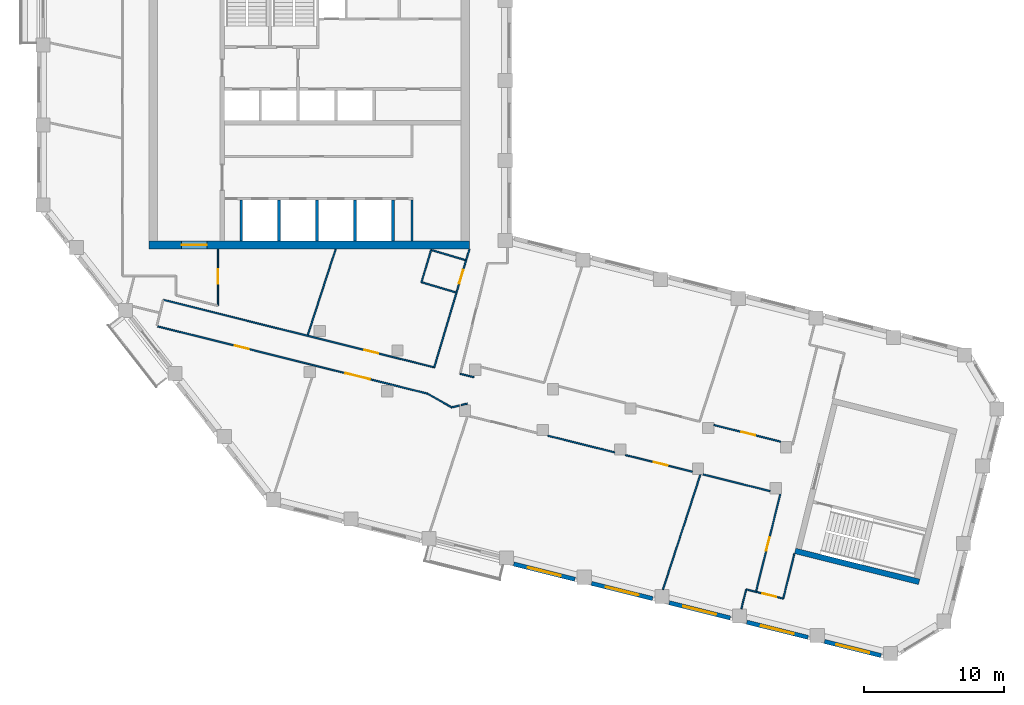
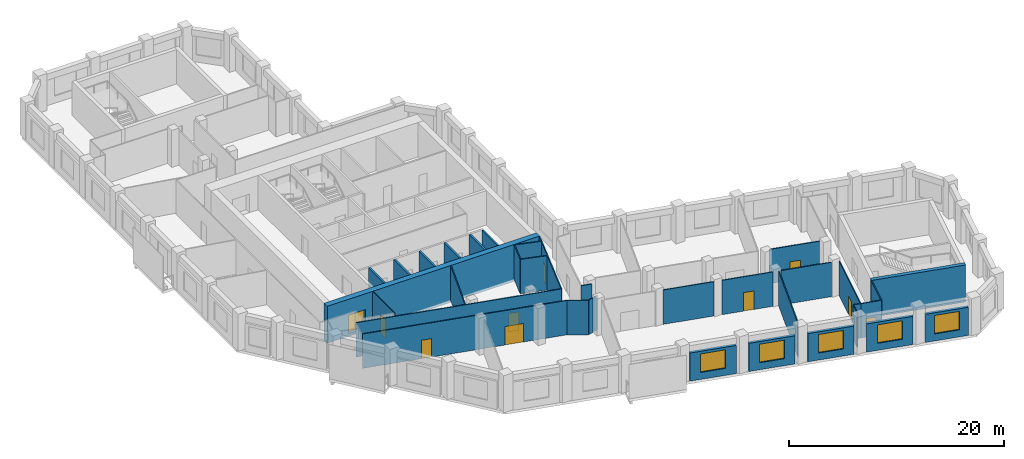
# One storey, part 3 of 9: 35 walls, 10 doors, 5 windows, 15 openings.
"""IFC4 building model written with IfcOpenShell, lengths in metres."""

from ifc_helpers import new_model, si_unit, direction, frame, frame_2d, origin, place, context, subcontext, project, spatial, rectangle, extrude, material, layer, layer_set, type_object, element, fill, save


model = new_model("IFC4")

# Units and contexts
model_context = context("Model", 3, precision=1e-05, world=origin(), true_north=direction((0.0, 1.0)))
body_context = subcontext(model_context, "Body", "Model", "MODEL_VIEW")
ifc_project = project(units=[si_unit("LENGTHUNIT", "METRE"), si_unit("AREAUNIT", "SQUARE_METRE"), si_unit("VOLUMEUNIT", "CUBIC_METRE"), si_unit("PLANEANGLEUNIT", "RADIAN"), si_unit("MASSUNIT", "GRAM", prefix="KILO")], contexts=[model_context])

# Site, building, storey
site_placement = place(None, origin())
site = spatial("IfcSite", under=ifc_project, at=site_placement, CompositionType="ELEMENT")
building_placement = place(site_placement, origin())
building = spatial("IfcBuilding", under=site, at=building_placement, Name="Meshkara Civic Tower", CompositionType="ELEMENT")
storey_placement = place(building_placement, frame((0.0, 0.0, 336.0)))
storey = spatial("IfcBuildingStorey", under=building, at=storey_placement, Name="L77", CompositionType="ELEMENT", Elevation=336.0)

# Wall
ifc_material_1 = material(Name="Blockwork", Category="masonry")
ifc_layer_1 = layer(ifc_material_1, 0.14990234375)
ifc_layer_set_1 = layer_set([ifc_layer_1], Name="Core partition 150")
wall_type_1 = type_object("IfcWallType", Name="Core partition 150", PredefinedType="PARTITIONING", material=ifc_layer_set_1)
wall_1_placement = place(storey_placement, frame((26.699951171875, 14.699951171875, 0.0), z_axis=(0.0, 0.0, 1.0), x_axis=(0.0, 1.0, 0.0)))
element("IfcWall", 1, at=wall_1_placement, inside=storey, type_object=wall_type_1, Name="L77-C025", PredefinedType="PARTITIONING", context=body_context, shape_type="SweptSolid", body=[
    extrude(rectangle(XDim=2.900146484375, YDim=0.14990234375, at=frame_2d((1.4501953125, 0.0))), origin(), (0.0, 0.0, 1.0), 3.89990234375),
])

# Wall, opening, door
ifc_material_2 = material(Name="Concrete C60", Category="concrete")
ifc_layer_2 = layer(ifc_material_2, 0.60009765625)
ifc_layer_set_2 = layer_set([ifc_layer_2], Name="Core ring wall 600 C60")
wall_type_2 = type_object("IfcWallType", Name="Core ring wall 600 C60", PredefinedType="SHEAR", material=ifc_layer_set_2)
wall_2_placement = place(storey_placement, frame((8.0, 14.39990234375, -0.300048828125), z_axis=(0.0, 0.0, 1.0), x_axis=(1.0, 0.0, 0.0)))
wall_2 = element("IfcWall", 2, at=wall_2_placement, inside=storey, type_object=wall_type_2, Name="L77-C001", PredefinedType="SHEAR", context=body_context, shape_type="SweptSolid", body=[
    extrude(rectangle(XDim=22.800048828125, YDim=0.60009765625, at=frame_2d((11.39990234375, 0.0))), origin(), (0.0, 0.0, 1.0), 4.199951171875),
])
opening_1_placement = place(wall_2_placement, frame((2.300048828125, 0.0, 0.300048828125)))
opening_1 = element("IfcOpeningElement", 3, at=opening_1_placement, cuts=wall_2, Name="Opening L77-K022", PredefinedType="OPENING", context=body_context, shape_type="SweptSolid", body=[
    extrude(rectangle(XDim=1.800048828125, YDim=2.10009765625, at=frame_2d((0.89990234375, 1.050048828125))), frame((0.0, 0.31005859375, 0.0), z_axis=(0.0, -1.0, 0.0), x_axis=(1.0, 0.0, 0.0)), (0.0, 0.0, 1.0), 0.6201171875),
])
ifc_material_3 = material(Name="Fire-rated door leaf in steel frame", Category="steel")
door_type_1 = type_object("IfcDoorType", Name="Core double door 1800 EI 60", OperationType="DOUBLE_DOOR_SINGLE_SWING", PredefinedType="DOOR", material=ifc_material_3)
door_1_placement = place(opening_1_placement, origin())
door_1 = element("IfcDoor", 4, at=door_1_placement, inside=storey, type_object=door_type_1, Name="L77-K022", OperationType="DOUBLE_DOOR_SINGLE_SWING", OverallHeight=2.10009765625, OverallWidth=1.800048828125, PredefinedType="DOOR", context=body_context, shape_type="SweptSolid", body=[
    extrude(rectangle(XDim=1.800048828125, YDim=2.10009765625, at=frame_2d((0.89990234375, 1.050048828125))), frame((0.0, 0.02490234375, 0.0), z_axis=(0.0, -1.0, 0.0), x_axis=(1.0, 0.0, 0.0)), (0.0, 0.0, 1.0), 0.050048828125),
])
fill(opening_1, door_1)

# Wall, openings, doors
ifc_material_4 = material(Name="Corridor wall 100")
ifc_layer_3 = layer(ifc_material_4, 0.10009765625)
ifc_layer_set_3 = layer_set([ifc_layer_3], Name="Corridor wall 100")
wall_type_3 = type_object("IfcWallType", Name="Corridor wall 100", PredefinedType="PARTITIONING", material=ifc_layer_set_3)
wall_3_placement = place(storey_placement, frame((8.60107421875, 8.610107421875, 0.0), z_axis=(0.0, 0.0, 1.0), x_axis=(0.970290921205, -0.241941166872, 0.0)))
wall_3 = element("IfcWall", 5, at=wall_3_placement, inside=storey, type_object=wall_type_3, Name="L77-W006", PredefinedType="PARTITIONING", context=body_context, shape_type="SweptSolid", body=[
    extrude(rectangle(XDim=19.8115234375, YDim=0.10009765625, at=frame_2d((9.90576171875, 0.0))), origin(), (0.0, 0.0, 1.0), 3.89990234375),
])
opening_2_placement = place(wall_3_placement, frame((13.784912109375, 0.0, 0.0)))
opening_2 = element("IfcOpeningElement", 6, at=opening_2_placement, cuts=wall_3, Name="Opening L77-D004", PredefinedType="OPENING", context=body_context, shape_type="SweptSolid", body=[
    extrude(rectangle(XDim=1.800048828125, YDim=2.10009765625, at=frame_2d((0.89990234375, 1.050048828125))), frame((0.0, 0.06005859375, 0.0), z_axis=(0.0, -1.0, 0.0), x_axis=(1.0, 0.0, 0.0)), (0.0, 0.0, 1.0), 0.1201171875),
])
opening_3_placement = place(wall_3_placement, frame((5.679931640625, 0.0, 0.0)))
opening_3 = element("IfcOpeningElement", 7, at=opening_3_placement, cuts=wall_3, Name="Opening L77-D009", PredefinedType="OPENING", context=body_context, shape_type="SweptSolid", body=[
    extrude(rectangle(XDim=1.0, YDim=2.10009765625, at=frame_2d((0.5, 1.050048828125))), frame((0.0, 0.06005859375, 0.0), z_axis=(0.0, -1.0, 0.0), x_axis=(1.0, 0.0, 0.0)), (0.0, 0.0, 1.0), 0.1201171875),
])
ifc_material_5 = material(Name="Door 1000 x 2100")
door_type_2 = type_object("IfcDoorType", Name="Door 1000 x 2100", OperationType="SINGLE_SWING_LEFT", PredefinedType="DOOR", material=ifc_material_5)
door_2_placement = place(opening_3_placement, origin())
door_2 = element("IfcDoor", 8, at=door_2_placement, inside=storey, type_object=door_type_2, Name="L77-D009", OperationType="SINGLE_SWING_LEFT", OverallHeight=2.10009765625, OverallWidth=1.0, PredefinedType="DOOR", context=body_context, shape_type="SweptSolid", body=[
    extrude(rectangle(XDim=1.0, YDim=2.10009765625, at=frame_2d((0.5, 1.050048828125))), frame((0.0, 0.02490234375, 0.0), z_axis=(0.0, -1.0, 0.0), x_axis=(1.0, 0.0, 0.0)), (0.0, 0.0, 1.0), 0.050048828125),
])
fill(opening_3, door_2)
ifc_material_6 = material(Name="Door pair 1800 x 2100")
door_type_3 = type_object("IfcDoorType", Name="Door pair 1800 x 2100", OperationType="SINGLE_SWING_LEFT", PredefinedType="DOOR", material=ifc_material_6)
door_3_placement = place(opening_2_placement, origin())
door_3 = element("IfcDoor", 9, at=door_3_placement, inside=storey, type_object=door_type_3, Name="L77-D004", OperationType="DOUBLE_DOOR_SINGLE_SWING", OverallHeight=2.10009765625, OverallWidth=1.800048828125, PredefinedType="DOOR", context=body_context, shape_type="SweptSolid", body=[
    extrude(rectangle(XDim=1.800048828125, YDim=2.10009765625, at=frame_2d((0.89990234375, 1.050048828125))), frame((0.0, 0.02490234375, 0.0), z_axis=(0.0, -1.0, 0.0), x_axis=(1.0, 0.0, 0.0)), (0.0, 0.0, 1.0), 0.050048828125),
])
fill(opening_2, door_3)

# Wall, opening, door
wall_4_placement = place(storey_placement, frame((9.001953125, 10.4990234375, 0.0), z_axis=(0.0, 0.0, 1.0), x_axis=(0.970298340477, -0.241911410372, 0.0)))
wall_4 = element("IfcWall", 10, at=wall_4_placement, inside=storey, type_object=wall_type_3, Name="L77-W007", PredefinedType="PARTITIONING", context=body_context, shape_type="SweptSolid", body=[
    extrude(rectangle(XDim=19.879638671875, YDim=0.10009765625, at=frame_2d((9.93994140625, 0.0))), origin(), (0.0, 0.0, 1.0), 3.89990234375),
])
opening_4_placement = place(wall_4_placement, frame((14.76611328125, 0.0, 0.0)))
opening_4 = element("IfcOpeningElement", 11, at=opening_4_placement, cuts=wall_4, Name="Opening L77-D010", PredefinedType="OPENING", context=body_context, shape_type="SweptSolid", body=[
    extrude(rectangle(XDim=1.0, YDim=2.10009765625, at=frame_2d((0.5, 1.050048828125))), frame((0.0, 0.06005859375, 0.0), z_axis=(0.0, -1.0, 0.0), x_axis=(1.0, 0.0, 0.0)), (0.0, 0.0, 1.0), 0.1201171875),
])
door_4_placement = place(opening_4_placement, origin())
door_4 = element("IfcDoor", 12, at=door_4_placement, inside=storey, type_object=door_type_2, Name="L77-D010", OperationType="SINGLE_SWING_RIGHT", OverallHeight=2.10009765625, OverallWidth=1.0, PredefinedType="DOOR", context=body_context, shape_type="SweptSolid", body=[
    extrude(rectangle(XDim=1.0, YDim=2.10009765625, at=frame_2d((0.5, 1.050048828125))), frame((0.0, 0.02490234375, 0.0), z_axis=(0.0, -1.0, 0.0), x_axis=(1.0, 0.0, 0.0)), (0.0, 0.0, 1.0), 0.050048828125),
])
fill(opening_4, door_4)

wall_5_placement = place(storey_placement, frame((12.89990234375, 10.077880859375, 0.0), z_axis=(0.0, 0.0, 1.0), x_axis=(0.0, 1.0, 0.0)))
wall_5 = element("IfcWall", 13, at=wall_5_placement, inside=storey, type_object=wall_type_3, Name="L77-W015", PredefinedType="PARTITIONING", context=body_context, shape_type="SweptSolid", body=[
    extrude(rectangle(XDim=4.022216796875, YDim=0.10009765625, at=frame_2d((2.01123046875, 0.0))), origin(), (0.0, 0.0, 1.0), 3.89990234375),
])
opening_5_placement = place(wall_5_placement, frame((1.580078125, 0.0, 0.0)))
opening_5 = element("IfcOpeningElement", 14, at=opening_5_placement, cuts=wall_5, Name="Opening L77-D013", PredefinedType="OPENING", context=body_context, shape_type="SweptSolid", body=[
    extrude(rectangle(XDim=1.0, YDim=2.10009765625, at=frame_2d((0.5, 1.050048828125))), frame((0.0, 0.06005859375, 0.0), z_axis=(0.0, -1.0, 0.0), x_axis=(1.0, 0.0, 0.0)), (0.0, 0.0, 1.0), 0.1201171875),
])
door_5_placement = place(opening_5_placement, origin())
door_5 = element("IfcDoor", 15, at=door_5_placement, inside=storey, type_object=door_type_2, Name="L77-D013", OperationType="SINGLE_SWING_LEFT", OverallHeight=2.10009765625, OverallWidth=1.0, PredefinedType="DOOR", context=body_context, shape_type="SweptSolid", body=[
    extrude(rectangle(XDim=1.0, YDim=2.10009765625, at=frame_2d((0.5, 1.050048828125))), frame((0.0, 0.02490234375, 0.0), z_axis=(0.0, -1.0, 0.0), x_axis=(1.0, 0.0, 0.0)), (0.0, 0.0, 1.0), 0.050048828125),
])
fill(opening_5, door_5)

# Wall
wall_6_placement = place(storey_placement, frame((27.823974609375, 3.81689453125, 0.0), z_axis=(0.0, 0.0, 1.0), x_axis=(0.868349676245, -0.495952457163, 0.0)))
element("IfcWall", 16, at=wall_6_placement, inside=storey, type_object=wall_type_3, Name="L77-W018", PredefinedType="PARTITIONING", context=body_context, shape_type="SweptSolid", body=[
    extrude(rectangle(XDim=1.973876953125, YDim=0.10009765625, at=frame_2d((0.98681640625, 0.0))), origin(), (0.0, 0.0, 1.0), 3.89990234375),
])

# Wall, opening, door
wall_7_placement = place(storey_placement, frame((28.291015625, 5.68994140625, 0.0), z_axis=(0.0, 0.0, 1.0), x_axis=(0.28588265334, 0.958264633867, 0.0)))
wall_7 = element("IfcWall", 17, at=wall_7_placement, inside=storey, type_object=wall_type_3, Name="L77-W019", PredefinedType="PARTITIONING", context=body_context, shape_type="SweptSolid", body=[
    extrude(rectangle(XDim=8.7763671875, YDim=0.10009765625, at=frame_2d((4.38818359375, 0.0))), origin(), (0.0, 0.0, 1.0), 3.89990234375),
])
opening_6_placement = place(wall_7_placement, frame((6.22998046875, 0.0, 0.0)))
opening_6 = element("IfcOpeningElement", 18, at=opening_6_placement, cuts=wall_7, Name="Opening L77-D014", PredefinedType="OPENING", context=body_context, shape_type="SweptSolid", body=[
    extrude(rectangle(XDim=1.0, YDim=2.10009765625, at=frame_2d((0.5, 1.050048828125))), frame((0.0, 0.06005859375, 0.0), z_axis=(0.0, -1.0, 0.0), x_axis=(1.0, 0.0, 0.0)), (0.0, 0.0, 1.0), 0.1201171875),
])
door_6_placement = place(opening_6_placement, origin())
door_6 = element("IfcDoor", 19, at=door_6_placement, inside=storey, type_object=door_type_2, Name="L77-D014", OperationType="SINGLE_SWING_LEFT", OverallHeight=2.10009765625, OverallWidth=1.0, PredefinedType="DOOR", context=body_context, shape_type="SweptSolid", body=[
    extrude(rectangle(XDim=1.0, YDim=2.10009765625, at=frame_2d((0.5, 1.050048828125))), frame((0.0, 0.02490234375, 0.0), z_axis=(0.0, -1.0, 0.0), x_axis=(1.0, 0.0, 0.0)), (0.0, 0.0, 1.0), 0.050048828125),
])
fill(opening_6, door_6)

# Walls
wall_8_placement = place(storey_placement, frame((29.5380859375, 2.837890625, 0.0), z_axis=(0.0, 0.0, 1.0), x_axis=(0.971654139629, 0.236406922365, 0.0)))
element("IfcWall", 20, at=wall_8_placement, inside=storey, type_object=wall_type_3, Name="L77-W020", PredefinedType="PARTITIONING", context=body_context, shape_type="SweptSolid", body=[
    extrude(rectangle(XDim=0.562744140625, YDim=0.10009765625, at=frame_2d((0.28125, 0.0))), origin(), (0.0, 0.0, 1.0), 3.89990234375),
])
wall_9_placement = place(storey_placement, frame((30.212890625, 3.001953125, 0.0), z_axis=(0.0, 0.0, 1.0), x_axis=(0.971720514556, 0.236133948408, 0.0)))
element("IfcWall", 21, at=wall_9_placement, inside=storey, type_object=wall_type_3, Name="L77-W022", PredefinedType="PARTITIONING", context=body_context, shape_type="SweptSolid", body=[
    extrude(rectangle(XDim=0.4580078125, YDim=0.10009765625, at=frame_2d((0.22900390625, 0.0))), origin(), (0.0, 0.0, 1.0), 3.89990234375),
])
wall_10_placement = place(storey_placement, frame((31.125, 4.98291015625, 0.0), z_axis=(0.0, 0.0, 1.0), x_axis=(-0.970296981152, 0.24191686251, 0.0)))
element("IfcWall", 22, at=wall_10_placement, inside=storey, type_object=wall_type_3, Name="L77-W025", PredefinedType="PARTITIONING", context=body_context, shape_type="SweptSolid", body=[
    extrude(rectangle(XDim=1.021240234375, YDim=0.10009765625, at=frame_2d((0.5107421875, 0.0))), origin(), (0.0, 0.0, 1.0), 3.89990234375),
])
wall_11_placement = place(storey_placement, frame((36.3798828125, 0.822998046875, 0.0), z_axis=(0.0, 0.0, 1.0), x_axis=(0.970311839682, -0.241857259087, 0.0)))
element("IfcWall", 23, at=wall_11_placement, inside=storey, type_object=wall_type_3, Name="L77-W029", PredefinedType="PARTITIONING", context=body_context, shape_type="SweptSolid", body=[
    extrude(rectangle(XDim=4.911865234375, YDim=0.10009765625, at=frame_2d((2.4560546875, 0.0))), origin(), (0.0, 0.0, 1.0), 3.89990234375),
])

# Wall, opening, door
wall_12_placement = place(storey_placement, frame((41.910888671875, -0.555908203125, 0.0), z_axis=(0.0, 0.0, 1.0), x_axis=(0.970311839682, -0.241857259087, 0.0)))
wall_12 = element("IfcWall", 24, at=wall_12_placement, inside=storey, type_object=wall_type_3, Name="L77-W030", PredefinedType="PARTITIONING", context=body_context, shape_type="SweptSolid", body=[
    extrude(rectangle(XDim=4.911865234375, YDim=0.10009765625, at=frame_2d((2.4560546875, 0.0))), origin(), (0.0, 0.0, 1.0), 3.89990234375),
])
opening_7_placement = place(wall_12_placement, frame((2.080078125, 0.0, 0.0)))
opening_7 = element("IfcOpeningElement", 25, at=opening_7_placement, cuts=wall_12, Name="Opening L77-D003", PredefinedType="OPENING", context=body_context, shape_type="SweptSolid", body=[
    extrude(rectangle(XDim=1.0, YDim=2.10009765625, at=frame_2d((0.5, 1.050048828125))), frame((0.0, 0.06005859375, 0.0), z_axis=(0.0, -1.0, 0.0), x_axis=(1.0, 0.0, 0.0)), (0.0, 0.0, 1.0), 0.1201171875),
])
door_7_placement = place(opening_7_placement, origin())
door_7 = element("IfcDoor", 26, at=door_7_placement, inside=storey, type_object=door_type_2, Name="L77-D003", OperationType="SINGLE_SWING_LEFT", OverallHeight=2.10009765625, OverallWidth=1.0, PredefinedType="DOOR", context=body_context, shape_type="SweptSolid", body=[
    extrude(rectangle(XDim=1.0, YDim=2.10009765625, at=frame_2d((0.5, 1.050048828125))), frame((0.0, 0.02490234375, 0.0), z_axis=(0.0, -1.0, 0.0), x_axis=(1.0, 0.0, 0.0)), (0.0, 0.0, 1.0), 0.050048828125),
])
fill(opening_7, door_7)

# Wall
wall_13_placement = place(storey_placement, frame((47.44189453125, -1.93505859375, 0.0), z_axis=(0.0, 0.0, 1.0), x_axis=(0.970311839682, -0.241857259087, 0.0)))
element("IfcWall", 27, at=wall_13_placement, inside=storey, type_object=wall_type_3, Name="L77-W033", PredefinedType="PARTITIONING", context=body_context, shape_type="SweptSolid", body=[
    extrude(rectangle(XDim=4.911865234375, YDim=0.10009765625, at=frame_2d((2.4560546875, 0.0))), origin(), (0.0, 0.0, 1.0), 3.89990234375),
])

# Wall, opening, door
wall_14_placement = place(storey_placement, frame((51.200927734375, -10.2919921875, 0.0), z_axis=(0.0, 0.0, 1.0), x_axis=(0.970307382734, -0.241875139301, 0.0)))
wall_14 = element("IfcWall", 28, at=wall_14_placement, inside=storey, type_object=wall_type_3, Name="L77-W034", PredefinedType="PARTITIONING", context=body_context, shape_type="SweptSolid", body=[
    extrude(rectangle(XDim=2.00048828125, YDim=0.10009765625, at=frame_2d((1.000244140625, 0.0))), origin(), (0.0, 0.0, 1.0), 3.89990234375),
])
opening_8_placement = place(wall_14_placement, frame((0.47998046875, 0.0, 0.0)))
opening_8 = element("IfcOpeningElement", 29, at=opening_8_placement, cuts=wall_14, Name="Opening L77-D002", PredefinedType="OPENING", context=body_context, shape_type="SweptSolid", body=[
    extrude(rectangle(XDim=1.0, YDim=2.10009765625, at=frame_2d((0.5, 1.050048828125))), frame((0.0, 0.06005859375, 0.0), z_axis=(0.0, -1.0, 0.0), x_axis=(1.0, 0.0, 0.0)), (0.0, 0.0, 1.0), 0.1201171875),
])
door_8_placement = place(opening_8_placement, origin())
door_8 = element("IfcDoor", 30, at=door_8_placement, inside=storey, type_object=door_type_2, Name="L77-D002", OperationType="SINGLE_SWING_RIGHT", OverallHeight=2.10009765625, OverallWidth=1.0, PredefinedType="DOOR", context=body_context, shape_type="SweptSolid", body=[
    extrude(rectangle(XDim=1.0, YDim=2.10009765625, at=frame_2d((0.5, 1.050048828125))), frame((0.0, 0.02490234375, 0.0), z_axis=(0.0, -1.0, 0.0), x_axis=(1.0, 0.0, 0.0)), (0.0, 0.0, 1.0), 0.050048828125),
])
fill(opening_8, door_8)

wall_15_placement = place(storey_placement, frame((52.94091796875, -3.31396484375, 0.0), z_axis=(0.0, 0.0, 1.0), x_axis=(-0.241944492524, -0.97029009195, 0.0)))
wall_15 = element("IfcWall", 31, at=wall_15_placement, inside=storey, type_object=wall_type_3, Name="L77-W035", PredefinedType="PARTITIONING", context=body_context, shape_type="SweptSolid", body=[
    extrude(rectangle(XDim=7.191650390625, YDim=0.10009765625, at=frame_2d((3.595703125, 0.0))), origin(), (0.0, 0.0, 1.0), 3.89990234375),
])
opening_9_placement = place(wall_15_placement, frame((3.179931640625, 0.0, 0.0)))
opening_9 = element("IfcOpeningElement", 32, at=opening_9_placement, cuts=wall_15, Name="Opening L77-D001", PredefinedType="OPENING", context=body_context, shape_type="SweptSolid", body=[
    extrude(rectangle(XDim=1.0, YDim=2.10009765625, at=frame_2d((0.5, 1.050048828125))), frame((0.0, 0.06005859375, 0.0), z_axis=(0.0, -1.0, 0.0), x_axis=(1.0, 0.0, 0.0)), (0.0, 0.0, 1.0), 0.1201171875),
])
door_9_placement = place(opening_9_placement, origin())
door_9 = element("IfcDoor", 33, at=door_9_placement, inside=storey, type_object=door_type_2, Name="L77-D001", OperationType="SINGLE_SWING_LEFT", OverallHeight=2.10009765625, OverallWidth=1.0, PredefinedType="DOOR", context=body_context, shape_type="SweptSolid", body=[
    extrude(rectangle(XDim=1.0, YDim=2.10009765625, at=frame_2d((0.5, 1.050048828125))), frame((0.0, 0.02490234375, 0.0), z_axis=(0.0, -1.0, 0.0), x_axis=(1.0, 0.0, 0.0)), (0.0, 0.0, 1.0), 0.050048828125),
])
fill(opening_9, door_9)

wall_16_placement = place(storey_placement, frame((52.970947265625, 0.39697265625, 0.0), z_axis=(0.0, 0.0, 1.0), x_axis=(-0.970288447449, 0.24195108751, 0.0)))
wall_16 = element("IfcWall", 34, at=wall_16_placement, inside=storey, type_object=wall_type_3, Name="L77-W036", PredefinedType="PARTITIONING", context=body_context, shape_type="SweptSolid", body=[
    extrude(rectangle(XDim=4.9140625, YDim=0.10009765625, at=frame_2d((2.45703125, 0.0))), origin(), (0.0, 0.0, 1.0), 3.89990234375),
])
opening_10_placement = place(wall_16_placement, frame((1.8798828125, 0.0, 0.0)))
opening_10 = element("IfcOpeningElement", 35, at=opening_10_placement, cuts=wall_16, Name="Opening L77-D007", PredefinedType="OPENING", context=body_context, shape_type="SweptSolid", body=[
    extrude(rectangle(XDim=1.0, YDim=2.10009765625, at=frame_2d((0.5, 1.050048828125))), frame((0.0, 0.06005859375, 0.0), z_axis=(0.0, -1.0, 0.0), x_axis=(1.0, 0.0, 0.0)), (0.0, 0.0, 1.0), 0.1201171875),
])
door_10_placement = place(opening_10_placement, origin())
door_10 = element("IfcDoor", 36, at=door_10_placement, inside=storey, type_object=door_type_2, Name="L77-D007", OperationType="SINGLE_SWING_RIGHT", OverallHeight=2.10009765625, OverallWidth=1.0, PredefinedType="DOOR", context=body_context, shape_type="SweptSolid", body=[
    extrude(rectangle(XDim=1.0, YDim=2.10009765625, at=frame_2d((0.5, 1.050048828125))), frame((0.0, 0.02490234375, 0.0), z_axis=(0.0, -1.0, 0.0), x_axis=(1.0, 0.0, 0.0)), (0.0, 0.0, 1.0), 0.050048828125),
])
fill(opening_10, door_10)

# Wall
wall_17_placement = place(storey_placement, frame((53.14208984375, -10.77587890625, 0.0), z_axis=(0.0, 0.0, 1.0), x_axis=(0.241786986316, 0.970329352977, 0.0)))
element("IfcWall", 37, at=wall_17_placement, inside=storey, type_object=wall_type_3, Name="L77-W037", PredefinedType="PARTITIONING", context=body_context, shape_type="SweptSolid", body=[
    extrude(rectangle(XDim=3.2998046875, YDim=0.10009765625, at=frame_2d((1.64990234375, 0.0))), origin(), (0.0, 0.0, 1.0), 3.89990234375),
])

# Wall, opening, window
ifc_material_7 = material(Name="Insulated infill panel with bronze anodised aluminium cladding", Category="aluminium")
ifc_layer_4 = layer(ifc_material_7, 0.300048828125)
ifc_layer_set_4 = layer_set([ifc_layer_4], Name="EXTERNAL INFILL WALL 300")
wall_type_4 = type_object("IfcWallType", Name="EXTERNAL INFILL WALL 300", PredefinedType="SOLIDWALL", material=ifc_layer_set_4)
wall_18_placement = place(storey_placement, frame((33.958984375, -8.31201171875, 0.0), z_axis=(0.0, 0.0, 1.0), x_axis=(0.970276766004, -0.241997928406, 0.0)))
wall_18 = element("IfcWall", 38, at=wall_18_placement, inside=storey, type_object=wall_type_4, Name="External wall", PredefinedType="SOLIDWALL", context=body_context, shape_type="SweptSolid", body=[
    extrude(rectangle(XDim=4.4873046875, YDim=0.300048828125, at=frame_2d((2.24365234375, 0.0))), origin(), (0.0, 0.0, 1.0), 3.199951171875),
])
opening_11_placement = place(wall_18_placement, frame((1.0439453125, 0.0, 0.800048828125)))
opening_11 = element("IfcOpeningElement", 39, at=opening_11_placement, cuts=wall_18, Name="Opening W7", PredefinedType="OPENING", context=body_context, shape_type="SweptSolid", body=[
    extrude(rectangle(XDim=2.39990234375, YDim=2.10009765625, at=frame_2d((1.199951171875, 1.050048828125))), frame((0.0, 0.159912109375, 0.0), z_axis=(0.0, -1.0, 0.0), x_axis=(1.0, 0.0, 0.0)), (0.0, 0.0, 1.0), 0.320068359375),
])
ifc_material_8 = material(Name="Tinted double glazing", Category="glass")
window_type = type_object("IfcWindowType", Name="WINDOW 2400x2100", PartitioningType="DOUBLE_PANEL_VERTICAL", PredefinedType="WINDOW", material=ifc_material_8)
window_1_placement = place(opening_11_placement, origin())
window_1 = element("IfcWindow", 40, at=window_1_placement, inside=storey, type_object=window_type, Name="Window", OverallHeight=2.10009765625, OverallWidth=2.39990234375, PartitioningType="DOUBLE_PANEL_VERTICAL", PredefinedType="WINDOW", context=body_context, shape_type="SweptSolid", body=[
    extrude(rectangle(XDim=2.39990234375, YDim=2.10009765625, at=frame_2d((1.199951171875, 1.050048828125))), frame((0.0, 0.030029296875, 0.0), z_axis=(0.0, -1.0, 0.0), x_axis=(1.0, 0.0, 0.0)), (0.0, 0.0, 1.0), 0.06005859375),
])
fill(opening_11, window_1)

wall_19_placement = place(storey_placement, frame((39.489990234375, -9.69189453125, 0.0), z_axis=(0.0, 0.0, 1.0), x_axis=(0.970302346682, -0.241895341054, 0.0)))
wall_19 = element("IfcWall", 41, at=wall_19_placement, inside=storey, type_object=wall_type_4, Name="External wall", PredefinedType="SOLIDWALL", context=body_context, shape_type="SweptSolid", body=[
    extrude(rectangle(XDim=4.486328125, YDim=0.300048828125, at=frame_2d((2.2431640625, 0.0))), origin(), (0.0, 0.0, 1.0), 3.199951171875),
])
opening_12_placement = place(wall_19_placement, frame((1.0439453125, 0.0, 0.800048828125)))
opening_12 = element("IfcOpeningElement", 42, at=opening_12_placement, cuts=wall_19, Name="Opening W7", PredefinedType="OPENING", context=body_context, shape_type="SweptSolid", body=[
    extrude(rectangle(XDim=2.39990234375, YDim=2.10009765625, at=frame_2d((1.199951171875, 1.050048828125))), frame((0.0, 0.159912109375, 0.0), z_axis=(0.0, -1.0, 0.0), x_axis=(1.0, 0.0, 0.0)), (0.0, 0.0, 1.0), 0.320068359375),
])
window_2_placement = place(opening_12_placement, origin())
window_2 = element("IfcWindow", 43, at=window_2_placement, inside=storey, type_object=window_type, Name="Window", OverallHeight=2.10009765625, OverallWidth=2.39990234375, PartitioningType="DOUBLE_PANEL_VERTICAL", PredefinedType="WINDOW", context=body_context, shape_type="SweptSolid", body=[
    extrude(rectangle(XDim=2.39990234375, YDim=2.10009765625, at=frame_2d((1.199951171875, 1.050048828125))), frame((0.0, 0.030029296875, 0.0), z_axis=(0.0, -1.0, 0.0), x_axis=(1.0, 0.0, 0.0)), (0.0, 0.0, 1.0), 0.06005859375),
])
fill(opening_12, window_2)

wall_20_placement = place(storey_placement, frame((45.02001953125, -11.070068359375, 0.0), z_axis=(0.0, 0.0, 1.0), x_axis=(0.970276766004, -0.241997928406, 0.0)))
wall_20 = element("IfcWall", 44, at=wall_20_placement, inside=storey, type_object=wall_type_4, Name="External wall", PredefinedType="SOLIDWALL", context=body_context, shape_type="SweptSolid", body=[
    extrude(rectangle(XDim=4.4873046875, YDim=0.300048828125, at=frame_2d((2.24365234375, 0.0))), origin(), (0.0, 0.0, 1.0), 3.199951171875),
])
opening_13_placement = place(wall_20_placement, frame((1.0439453125, 0.0, 0.800048828125)))
opening_13 = element("IfcOpeningElement", 45, at=opening_13_placement, cuts=wall_20, Name="Opening W7", PredefinedType="OPENING", context=body_context, shape_type="SweptSolid", body=[
    extrude(rectangle(XDim=2.39990234375, YDim=2.10009765625, at=frame_2d((1.199951171875, 1.050048828125))), frame((0.0, 0.159912109375, 0.0), z_axis=(0.0, -1.0, 0.0), x_axis=(1.0, 0.0, 0.0)), (0.0, 0.0, 1.0), 0.320068359375),
])
window_3_placement = place(opening_13_placement, origin())
window_3 = element("IfcWindow", 46, at=window_3_placement, inside=storey, type_object=window_type, Name="Window", OverallHeight=2.10009765625, OverallWidth=2.39990234375, PartitioningType="DOUBLE_PANEL_VERTICAL", PredefinedType="WINDOW", context=body_context, shape_type="SweptSolid", body=[
    extrude(rectangle(XDim=2.39990234375, YDim=2.10009765625, at=frame_2d((1.199951171875, 1.050048828125))), frame((0.0, 0.030029296875, 0.0), z_axis=(0.0, -1.0, 0.0), x_axis=(1.0, 0.0, 0.0)), (0.0, 0.0, 1.0), 0.06005859375),
])
fill(opening_13, window_3)

wall_21_placement = place(storey_placement, frame((50.551025390625, -12.448974609375, 0.0), z_axis=(0.0, 0.0, 1.0), x_axis=(0.970276766004, -0.241997928406, 0.0)))
wall_21 = element("IfcWall", 47, at=wall_21_placement, inside=storey, type_object=wall_type_4, Name="External wall", PredefinedType="SOLIDWALL", context=body_context, shape_type="SweptSolid", body=[
    extrude(rectangle(XDim=4.4873046875, YDim=0.300048828125, at=frame_2d((2.24365234375, 0.0))), origin(), (0.0, 0.0, 1.0), 3.199951171875),
])
opening_14_placement = place(wall_21_placement, frame((1.0439453125, 0.0, 0.800048828125)))
opening_14 = element("IfcOpeningElement", 48, at=opening_14_placement, cuts=wall_21, Name="Opening W7", PredefinedType="OPENING", context=body_context, shape_type="SweptSolid", body=[
    extrude(rectangle(XDim=2.39990234375, YDim=2.10009765625, at=frame_2d((1.199951171875, 1.050048828125))), frame((0.0, 0.159912109375, 0.0), z_axis=(0.0, -1.0, 0.0), x_axis=(1.0, 0.0, 0.0)), (0.0, 0.0, 1.0), 0.320068359375),
])
window_4_placement = place(opening_14_placement, origin())
window_4 = element("IfcWindow", 49, at=window_4_placement, inside=storey, type_object=window_type, Name="Window", OverallHeight=2.10009765625, OverallWidth=2.39990234375, PartitioningType="DOUBLE_PANEL_VERTICAL", PredefinedType="WINDOW", context=body_context, shape_type="SweptSolid", body=[
    extrude(rectangle(XDim=2.39990234375, YDim=2.10009765625, at=frame_2d((1.199951171875, 1.050048828125))), frame((0.0, 0.030029296875, 0.0), z_axis=(0.0, -1.0, 0.0), x_axis=(1.0, 0.0, 0.0)), (0.0, 0.0, 1.0), 0.06005859375),
])
fill(opening_14, window_4)

wall_22_placement = place(storey_placement, frame((56.0810546875, -13.827880859375, 0.0), z_axis=(0.0, 0.0, 1.0), x_axis=(0.970246294139, -0.242120070853, 0.0)))
wall_22 = element("IfcWall", 50, at=wall_22_placement, inside=storey, type_object=wall_type_4, Name="External wall", PredefinedType="SOLIDWALL", context=body_context, shape_type="SweptSolid", body=[
    extrude(rectangle(XDim=4.147216796875, YDim=0.300048828125, at=frame_2d((2.07373046875, 0.0))), origin(), (0.0, 0.0, 1.0), 3.199951171875),
])
opening_15_placement = place(wall_22_placement, frame((0.8740234375, 0.0, 0.800048828125)))
opening_15 = element("IfcOpeningElement", 51, at=opening_15_placement, cuts=wall_22, Name="Opening W7", PredefinedType="OPENING", context=body_context, shape_type="SweptSolid", body=[
    extrude(rectangle(XDim=2.39990234375, YDim=2.10009765625, at=frame_2d((1.199951171875, 1.050048828125))), frame((0.0, 0.159912109375, 0.0), z_axis=(0.0, -1.0, 0.0), x_axis=(1.0, 0.0, 0.0)), (0.0, 0.0, 1.0), 0.320068359375),
])
window_5_placement = place(opening_15_placement, origin())
window_5 = element("IfcWindow", 52, at=window_5_placement, inside=storey, type_object=window_type, Name="Window", OverallHeight=2.10009765625, OverallWidth=2.39990234375, PartitioningType="DOUBLE_PANEL_VERTICAL", PredefinedType="WINDOW", context=body_context, shape_type="SweptSolid", body=[
    extrude(rectangle(XDim=2.39990234375, YDim=2.10009765625, at=frame_2d((1.199951171875, 1.050048828125))), frame((0.0, 0.030029296875, 0.0), z_axis=(0.0, -1.0, 0.0), x_axis=(1.0, 0.0, 0.0)), (0.0, 0.0, 1.0), 0.06005859375),
])
fill(opening_15, window_5)

# Walls
ifc_material_9 = material(Name="Concrete C60", Category="concrete")
ifc_layer_5 = layer(ifc_material_9, 0.39990234375)
ifc_layer_set_5 = layer_set([ifc_layer_5], Name="End core ring wall 400 C60")
wall_type_5 = type_object("IfcWallType", Name="End core ring wall 400 C60", PredefinedType="SHEAR", material=ifc_layer_set_5)
wall_23_placement = place(storey_placement, frame((53.988037109375, -7.3798828125, -0.300048828125), z_axis=(0.0, 0.0, 1.0), x_axis=(0.970281210621, -0.241980107272, 0.0)))
element("IfcWall", 53, at=wall_23_placement, inside=storey, type_object=wall_type_5, Name="L77-C032", PredefinedType="SHEAR", context=body_context, shape_type="SweptSolid", body=[
    extrude(rectangle(XDim=9.1005859375, YDim=0.39990234375, at=frame_2d((4.55029296875, 0.0))), origin(), (0.0, 0.0, 1.0), 4.199951171875),
])
ifc_material_10 = material(Name="Partition 100")
ifc_layer_6 = layer(ifc_material_10, 0.10009765625)
ifc_layer_set_6 = layer_set([ifc_layer_6], Name="Partition 100")
wall_type_6 = type_object("IfcWallType", Name="Partition 100", PredefinedType="PARTITIONING", material=ifc_layer_set_6)
wall_24_placement = place(storey_placement, frame((19.291015625, 7.989013671875, 0.0), z_axis=(0.0, 0.0, 1.0), x_axis=(0.308911656913, 0.951090736062, 0.0)))
element("IfcWall", 54, at=wall_24_placement, inside=storey, type_object=wall_type_6, Name="L77-W049", PredefinedType="PARTITIONING", context=body_context, shape_type="SweptSolid", body=[
    extrude(rectangle(XDim=6.42529296875, YDim=0.10009765625, at=frame_2d((3.212646484375, 0.0))), origin(), (0.0, 0.0, 1.0), 3.89990234375),
])
wall_25_placement = place(storey_placement, frame((27.385986328125, 11.751953125, 0.0), z_axis=(0.0, 0.0, 1.0), x_axis=(0.285826425332, 0.958281406781, 0.0)))
element("IfcWall", 55, at=wall_25_placement, inside=storey, type_object=wall_type_6, Name="L77-W052", PredefinedType="PARTITIONING", context=body_context, shape_type="SweptSolid", body=[
    extrude(rectangle(XDim=2.400146484375, YDim=0.10009765625, at=frame_2d((1.2001953125, 0.0))), origin(), (0.0, 0.0, 1.0), 3.89990234375),
])
for number, where, z_axis, x_axis, name in (
    (56, (28.072021484375, 14.052001953125, 0.0), (0.0, 0.0, 1.0), (0.95828086131, -0.285828254108, 0.0), "L77-W054"),
    (57, (29.830078125, 11.02294921875, 0.0), (0.0, 0.0, 1.0), (-0.95828086131, 0.285828254108, 0.0), "L77-W055"),
):
    element("IfcWall", number, at=place(storey_placement, frame(where, z_axis=z_axis, x_axis=x_axis)), inside=storey, type_object=wall_type_6, Name=name, PredefinedType="PARTITIONING", context=body_context, shape_type="SweptSolid", body=[
        extrude(rectangle(XDim=2.550537109375, YDim=0.10009765625, at=frame_2d((1.275390625, 0.0))), origin(), (0.0, 0.0, 1.0), 3.89990234375),
    ])
wall_26_placement = place(storey_placement, frame((44.58203125, -10.133056640625, 0.0), z_axis=(0.0, 0.0, 1.0), x_axis=(0.309055972439, 0.951043850671, 0.0)))
element("IfcWall", 58, at=wall_26_placement, inside=storey, type_object=wall_type_6, Name="L77-W057", PredefinedType="PARTITIONING", context=body_context, shape_type="SweptSolid", body=[
    extrude(rectangle(XDim=8.6201171875, YDim=0.10009765625, at=frame_2d((4.31005859375, 0.0))), origin(), (0.0, 0.0, 1.0), 3.89990234375),
])
wall_27_placement = place(storey_placement, frame((50.159912109375, -11.511962890625, 0.0), z_axis=(0.0, 0.0, 1.0), x_axis=(0.241815333826, 0.970322288895, 0.0)))
element("IfcWall", 59, at=wall_27_placement, inside=storey, type_object=wall_type_6, Name="L77-W059", PredefinedType="PARTITIONING", context=body_context, shape_type="SweptSolid", body=[
    extrude(rectangle(XDim=1.435791015625, YDim=0.10009765625, at=frame_2d((0.7177734375, 0.0))), origin(), (0.0, 0.0, 1.0), 3.89990234375),
])
wall_28_placement = place(storey_placement, frame((50.507080078125, -10.118896484375, 0.0), z_axis=(0.0, 0.0, 1.0), x_axis=(0.970282083048, -0.241976609029, 0.0)))
element("IfcWall", 60, at=wall_28_placement, inside=storey, type_object=wall_type_6, Name="L77-W060", PredefinedType="PARTITIONING", context=body_context, shape_type="SweptSolid", body=[
    extrude(rectangle(XDim=0.719482421875, YDim=0.10009765625, at=frame_2d((0.35986328125, 0.0))), origin(), (0.0, 0.0, 1.0), 3.89990234375),
])
ifc_material_11 = material(Name="Concrete C40/50", Category="concrete")
ifc_layer_7 = layer(ifc_material_11, 0.199951171875)
ifc_layer_set_7 = layer_set([ifc_layer_7], Name="Shaft wall 200 C40/50")
wall_type_7 = type_object("IfcWallType", Name="Shaft wall 200 C40/50", PredefinedType="SOLIDWALL", material=ifc_layer_set_7)
for number, where, z_axis, x_axis, name in (
    (61, (14.550048828125, 14.699951171875, 0.0), (0.0, 0.0, 1.0), (0.0, 1.0, 0.0), "L77-C012"),
    (62, (17.25, 14.699951171875, 0.0), (0.0, 0.0, 1.0), (0.0, 1.0, 0.0), "L77-C015"),
    (63, (19.949951171875, 14.699951171875, 0.0), (0.0, 0.0, 1.0), (0.0, 1.0, 0.0), "L77-C017"),
    (64, (22.64990234375, 14.699951171875, 0.0), (0.0, 0.0, 1.0), (0.0, 1.0, 0.0), "L77-C021"),
    (65, (25.35009765625, 14.699951171875, 0.0), (0.0, 0.0, 1.0), (0.0, 1.0, 0.0), "L77-C023"),
):
    element("IfcWall", number, at=place(storey_placement, frame(where, z_axis=z_axis, x_axis=x_axis)), inside=storey, type_object=wall_type_7, Name=name, PredefinedType="SOLIDWALL", context=body_context, shape_type="SweptSolid", body=[
        extrude(rectangle(XDim=2.900146484375, YDim=0.199951171875, at=frame_2d((1.4501953125, 0.0))), origin(), (0.0, 0.0, 1.0), 3.89990234375),
    ])

save(model, "model.ifc")
